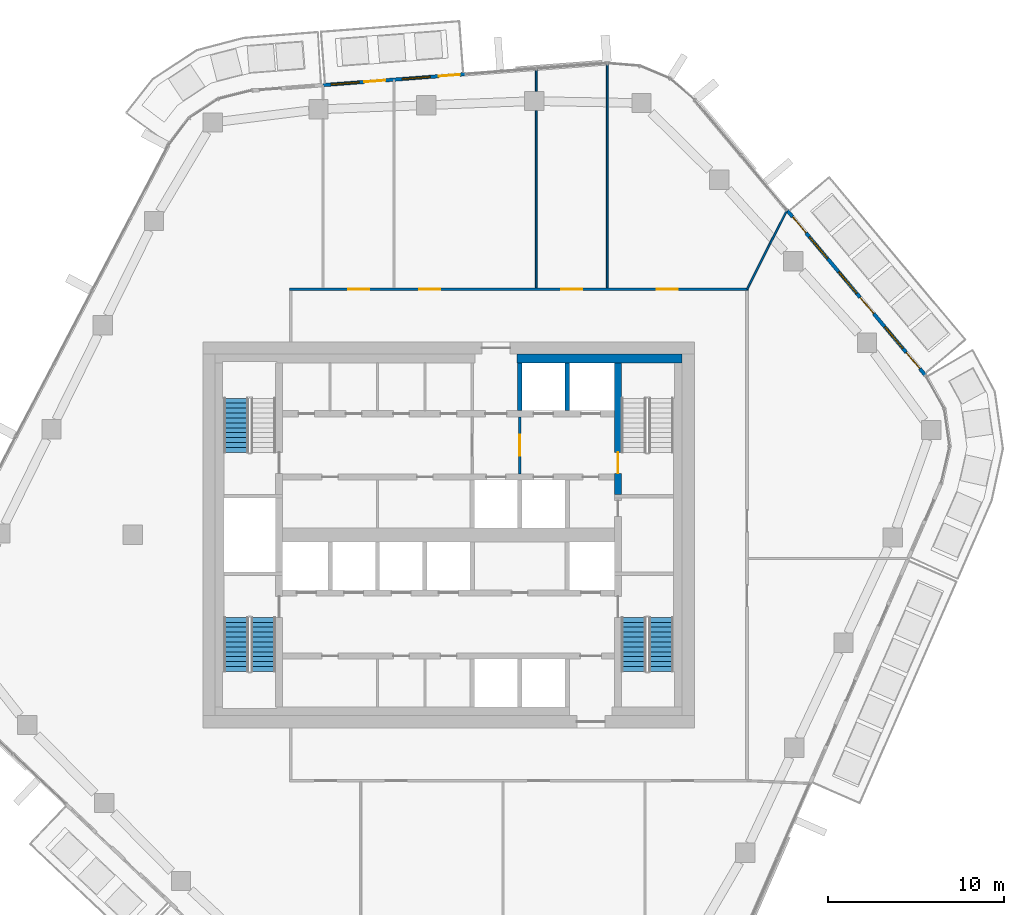
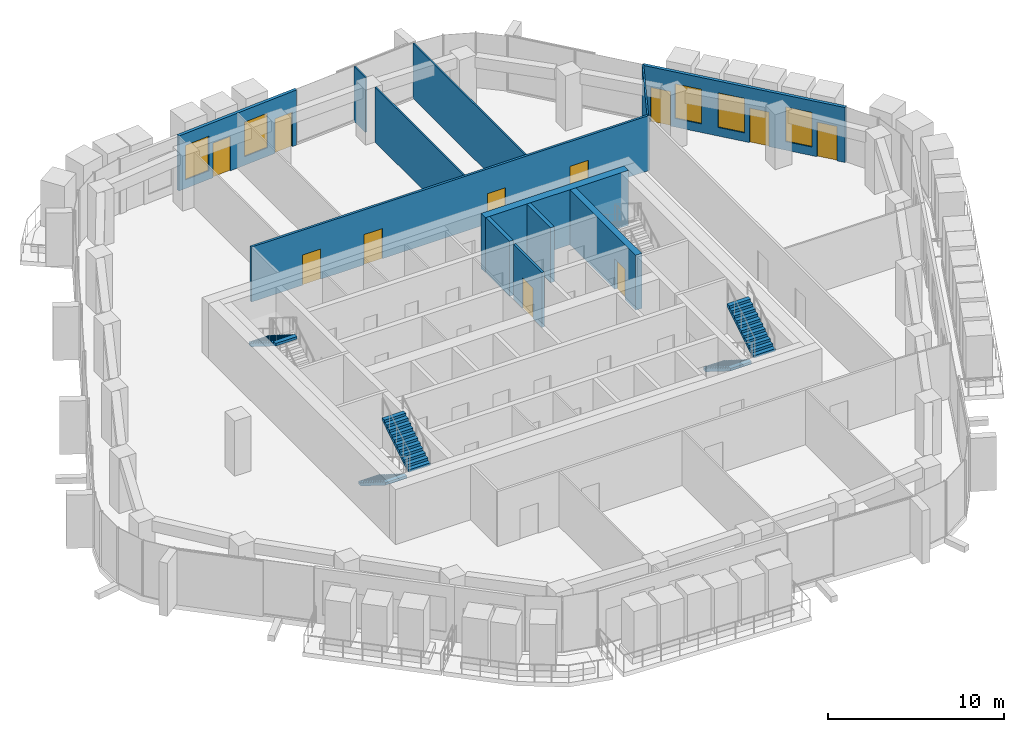
# One storey, part 13 of 20: 12 walls, 11 doors, 5 stair flights, 5 windows, 16 openings, 3 elements without a shape of their own.
"""IFC4 building model written with IfcOpenShell, lengths in metres."""

from ifc_helpers import new_model, si_unit, direction, frame, frame_2d, origin, place, context, subcontext, project, spatial, polyline, rectangle, outline, extrude, material, layer, layer_set, type_object, element, fill, aggregate, save


model = new_model("IFC4")

# Units and contexts
model_context = context("Model", 3, precision=1e-05, world=origin(), true_north=direction((0.0, 1.0)))
body_context = subcontext(model_context, "Body", "Model", "MODEL_VIEW")
ifc_project = project(units=[si_unit("LENGTHUNIT", "METRE"), si_unit("AREAUNIT", "SQUARE_METRE"), si_unit("VOLUMEUNIT", "CUBIC_METRE"), si_unit("PLANEANGLEUNIT", "RADIAN"), si_unit("MASSUNIT", "GRAM", prefix="KILO")], contexts=[model_context])

# Site, building, storey
site_placement = place(None, origin())
site = spatial("IfcSite", under=ifc_project, at=site_placement, CompositionType="ELEMENT")
building_placement = place(site_placement, origin())
building = spatial("IfcBuilding", under=site, at=building_placement, Name="Dongbaek Canopy Tower", CompositionType="ELEMENT")
storey_placement = place(building_placement, frame((0.0, 0.0, 245.39990234375)))
storey = spatial("IfcBuildingStorey", under=building, at=storey_placement, Name="L51", CompositionType="ELEMENT", Elevation=245.39990234375)

# Wall
ifc_material_1 = material(Name="Concrete C60/75", Category="concrete")
ifc_layer_1 = layer(ifc_material_1, 0.5)
ifc_layer_set_1 = layer_set([ifc_layer_1], Name="Core wall lining 500 Concrete C60/75")
wall_type_1 = type_object("IfcWallType", Name="Core wall lining 500 Concrete C60/75", PredefinedType="SHEAR", material=ifc_layer_set_1)
wall_1_placement = place(storey_placement, frame((3.89990234375, 10.050048828125, 0.0), z_axis=(0.0, 0.0, 1.0), x_axis=(1.0, 0.0, 0.0)))
element("IfcWall", 1, at=wall_1_placement, inside=storey, type_object=wall_type_1, Name="Core wall lining", PredefinedType="SHEAR", context=body_context, shape_type="SweptSolid", body=[
    extrude(rectangle(XDim=9.400146484375, YDim=0.5, at=frame_2d((4.7001953125, 0.0))), origin(), (0.0, 0.0, 1.0), 3.820068359375),
])

# Wall, openings, doors
ifc_material_2 = material(Name="Gypsum board partition, steel stud, 2 x 15 mm fire board", Category="steel")
ifc_layer_2 = layer(ifc_material_2, 0.14990234375)
ifc_layer_set_2 = layer_set([ifc_layer_2], Name="Fire-rated partition 150 gypsum board")
wall_type_2 = type_object("IfcWallType", Name="Fire-rated partition 150 gypsum board", PredefinedType="PARTITIONING", material=ifc_layer_set_2)
wall_2_placement = place(storey_placement, frame((-9.074951171875, 14.0, 0.0), z_axis=(0.0, 0.0, 1.0), x_axis=(1.0, 0.0, 0.0)))
wall_2 = element("IfcWall", 2, at=wall_2_placement, inside=storey, type_object=wall_type_2, Name="Corridor partition", PredefinedType="PARTITIONING", context=body_context, shape_type="SweptSolid", body=[
    extrude(rectangle(XDim=26.14990234375, YDim=0.14990234375, at=frame_2d((13.074951171875, 0.0))), origin(), (0.0, 0.0, 1.0), 3.820068359375),
])
opening_1_placement = place(wall_2_placement, frame((20.93408203125, 0.0, 0.0)))
opening_1 = element("IfcOpeningElement", 3, at=opening_1_placement, cuts=wall_2, Name="Opening L51-D007", PredefinedType="OPENING", context=body_context, shape_type="SweptSolid", body=[
    extrude(rectangle(XDim=1.199951171875, YDim=2.10009765625, at=frame_2d((0.60009765625, 1.050048828125))), frame((0.0, 0.0849609375, 0.0), z_axis=(0.0, -1.0, 0.0), x_axis=(1.0, 0.0, 0.0)), (0.0, 0.0, 1.0), 0.169921875),
])
opening_2_placement = place(wall_2_placement, frame((15.48974609375, 0.0, 0.0)))
opening_2 = element("IfcOpeningElement", 4, at=opening_2_placement, cuts=wall_2, Name="Opening L51-D008", PredefinedType="OPENING", context=body_context, shape_type="SweptSolid", body=[
    extrude(rectangle(XDim=1.199951171875, YDim=2.10009765625, at=frame_2d((0.60009765625, 1.050048828125))), frame((0.0, 0.0849609375, 0.0), z_axis=(0.0, -1.0, 0.0), x_axis=(1.0, 0.0, 0.0)), (0.0, 0.0, 1.0), 0.169921875),
])
opening_3_placement = place(wall_2_placement, frame((7.3955078125, 0.0, 0.0)))
opening_3 = element("IfcOpeningElement", 5, at=opening_3_placement, cuts=wall_2, Name="Opening L51-D009", PredefinedType="OPENING", context=body_context, shape_type="SweptSolid", body=[
    extrude(rectangle(XDim=1.199951171875, YDim=2.10009765625, at=frame_2d((0.60009765625, 1.050048828125))), frame((0.0, 0.0849609375, 0.0), z_axis=(0.0, -1.0, 0.0), x_axis=(1.0, 0.0, 0.0)), (0.0, 0.0, 1.0), 0.169921875),
])
opening_4_placement = place(wall_2_placement, frame((3.346435546875, 0.0, 0.0)))
opening_4 = element("IfcOpeningElement", 6, at=opening_4_placement, cuts=wall_2, Name="Opening L51-D010", PredefinedType="OPENING", context=body_context, shape_type="SweptSolid", body=[
    extrude(rectangle(XDim=1.199951171875, YDim=2.10009765625, at=frame_2d((0.60009765625, 1.050048828125))), frame((0.0, 0.0849609375, 0.0), z_axis=(0.0, -1.0, 0.0), x_axis=(1.0, 0.0, 0.0)), (0.0, 0.0, 1.0), 0.169921875),
])
ifc_material_3 = material(Name="Timber veneered door leaf", Category="wood")
door_type_1 = type_object("IfcDoorType", Name="Room door 1200 x 2100", OperationType="SINGLE_SWING_LEFT", PredefinedType="DOOR", material=ifc_material_3)
door_1_placement = place(opening_1_placement, origin())
door_1 = element("IfcDoor", 7, at=door_1_placement, inside=storey, type_object=door_type_1, Name="Door L51-D007", OperationType="SINGLE_SWING_RIGHT", OverallHeight=2.10009765625, OverallWidth=1.199951171875, PredefinedType="DOOR", context=body_context, shape_type="SweptSolid", body=[
    extrude(rectangle(XDim=1.199951171875, YDim=2.10009765625, at=frame_2d((0.60009765625, 1.050048828125))), frame((0.0, 0.02490234375, 0.0), z_axis=(0.0, -1.0, 0.0), x_axis=(1.0, 0.0, 0.0)), (0.0, 0.0, 1.0), 0.050048828125),
])
fill(opening_1, door_1)
door_2_placement = place(opening_2_placement, origin())
door_2 = element("IfcDoor", 8, at=door_2_placement, inside=storey, type_object=door_type_1, Name="Door L51-D008", OperationType="SINGLE_SWING_LEFT", OverallHeight=2.10009765625, OverallWidth=1.199951171875, PredefinedType="DOOR", context=body_context, shape_type="SweptSolid", body=[
    extrude(rectangle(XDim=1.199951171875, YDim=2.10009765625, at=frame_2d((0.60009765625, 1.050048828125))), frame((0.0, 0.02490234375, 0.0), z_axis=(0.0, -1.0, 0.0), x_axis=(1.0, 0.0, 0.0)), (0.0, 0.0, 1.0), 0.050048828125),
])
fill(opening_2, door_2)
door_3_placement = place(opening_3_placement, origin())
door_3 = element("IfcDoor", 9, at=door_3_placement, inside=storey, type_object=door_type_1, Name="Door L51-D009", OperationType="SINGLE_SWING_RIGHT", OverallHeight=2.10009765625, OverallWidth=1.199951171875, PredefinedType="DOOR", context=body_context, shape_type="SweptSolid", body=[
    extrude(rectangle(XDim=1.199951171875, YDim=2.10009765625, at=frame_2d((0.60009765625, 1.050048828125))), frame((0.0, 0.02490234375, 0.0), z_axis=(0.0, -1.0, 0.0), x_axis=(1.0, 0.0, 0.0)), (0.0, 0.0, 1.0), 0.050048828125),
])
fill(opening_3, door_3)
door_4_placement = place(opening_4_placement, origin())
door_4 = element("IfcDoor", 10, at=door_4_placement, inside=storey, type_object=door_type_1, Name="Door L51-D010", OperationType="SINGLE_SWING_LEFT", OverallHeight=2.10009765625, OverallWidth=1.199951171875, PredefinedType="DOOR", context=body_context, shape_type="SweptSolid", body=[
    extrude(rectangle(XDim=1.199951171875, YDim=2.10009765625, at=frame_2d((0.60009765625, 1.050048828125))), frame((0.0, 0.02490234375, 0.0), z_axis=(0.0, -1.0, 0.0), x_axis=(1.0, 0.0, 0.0)), (0.0, 0.0, 1.0), 0.050048828125),
])
fill(opening_4, door_4)

# Wall, opening, door
wall_3_placement = place(storey_placement, frame((4.050048828125, 6.72509765625, 0.0), z_axis=(0.0, 0.0, 1.0), x_axis=(0.0, -1.0, 0.0)))
wall_3 = element("IfcWall", 11, at=wall_3_placement, inside=storey, type_object=wall_type_2, Name="Fire lobby partition", PredefinedType="PARTITIONING", context=body_context, shape_type="SweptSolid", body=[
    extrude(rectangle(XDim=3.25, YDim=0.14990234375, at=frame_2d((1.625, 0.0))), origin(), (0.0, 0.0, 1.0), 3.820068359375),
])
opening_5_placement = place(wall_3_placement, frame((1.02490234375, 0.0, 0.0)))
opening_5 = element("IfcOpeningElement", 12, at=opening_5_placement, cuts=wall_3, Name="Opening L51-D041", PredefinedType="OPENING", context=body_context, shape_type="SweptSolid", body=[
    extrude(rectangle(XDim=1.199951171875, YDim=2.10009765625, at=frame_2d((0.60009765625, 1.050048828125))), frame((0.0, 0.0849609375, 0.0), z_axis=(0.0, -1.0, 0.0), x_axis=(1.0, 0.0, 0.0)), (0.0, 0.0, 1.0), 0.169921875),
])
ifc_material_4 = material(Name="Steel", Category="steel")
door_type_2 = type_object("IfcDoorType", Name="Fire lobby door 1200 x 2100", OperationType="SINGLE_SWING_LEFT", PredefinedType="DOOR", material=ifc_material_4)
door_5_placement = place(opening_5_placement, origin())
door_5 = element("IfcDoor", 13, at=door_5_placement, inside=storey, type_object=door_type_2, Name="Door L51-D041", OperationType="SINGLE_SWING_RIGHT", OverallHeight=2.10009765625, OverallWidth=1.199951171875, PredefinedType="DOOR", context=body_context, shape_type="SweptSolid", body=[
    extrude(rectangle(XDim=1.199951171875, YDim=2.10009765625, at=frame_2d((0.60009765625, 1.050048828125))), frame((0.0, 0.02490234375, 0.0), z_axis=(0.0, -1.0, 0.0), x_axis=(1.0, 0.0, 0.0)), (0.0, 0.0, 1.0), 0.050048828125),
])
fill(opening_5, door_5)

# Walls
ifc_material_5 = material(Name="Concrete C40/50", Category="concrete")
ifc_layer_3 = layer(ifc_material_5, 0.25)
ifc_layer_set_3 = layer_set([ifc_layer_3], Name="Lift shaft wall 250 Concrete C40/50")
wall_type_3 = type_object("IfcWallType", Name="Lift shaft wall 250 Concrete C40/50", PredefinedType="SOLIDWALL", material=ifc_layer_set_3)
for number, where, z_axis, x_axis, name in (
    (14, (6.75, 7.074951171875, 0.0), (0.0, 0.0, 1.0), (0.0, 1.0, 0.0), "Lift shaft wall"),
    (15, (4.050048828125, 7.074951171875, 0.0), (0.0, 0.0, 1.0), (0.0, 1.0, 0.0), "Lift shaft wall"),
):
    element("IfcWall", number, at=place(storey_placement, frame(where, z_axis=z_axis, x_axis=x_axis)), inside=storey, type_object=wall_type_3, Name=name, PredefinedType="SOLIDWALL", context=body_context, shape_type="SweptSolid", body=[
        extrude(rectangle(XDim=2.72509765625, YDim=0.25, at=frame_2d((1.362548828125, 0.0))), origin(), (0.0, 0.0, 1.0), 3.820068359375),
    ])
ifc_material_6 = material(Name="Gypsum board partition, steel stud, 2 x 12.5 mm board", Category="steel")
ifc_layer_4 = layer(ifc_material_6, 0.10009765625)
ifc_layer_set_4 = layer_set([ifc_layer_4], Name="Partition 100 gypsum board")
wall_type_4 = type_object("IfcWallType", Name="Partition 100 gypsum board", PredefinedType="PARTITIONING", material=ifc_layer_set_4)
wall_4_placement = place(storey_placement, frame((17.0, 14.0, 0.0), z_axis=(0.0, 0.0, 1.0), x_axis=(0.451643796449, 0.892198341811, 0.0)))
element("IfcWall", 16, at=wall_4_placement, inside=storey, type_object=wall_type_4, Name="Partition", PredefinedType="PARTITIONING", context=body_context, shape_type="SweptSolid", body=[
    extrude(rectangle(XDim=5.01953125, YDim=0.10009765625, at=frame_2d((2.509765625, 0.0))), origin(), (0.0, 0.0, 1.0), 3.820068359375),
])
wall_5_placement = place(storey_placement, frame((9.034912109375, 14.074951171875, 0.0), z_axis=(0.0, 0.0, 1.0), x_axis=(0.0, 1.0, 0.0)))
element("IfcWall", 17, at=wall_5_placement, inside=storey, type_object=wall_type_4, Name="Partition", PredefinedType="PARTITIONING", context=body_context, shape_type="SweptSolid", body=[
    extrude(rectangle(XDim=12.770751953125, YDim=0.10009765625, at=frame_2d((6.38525390625, 0.0))), origin(), (0.0, 0.0, 1.0), 3.820068359375),
])
wall_6_placement = place(storey_placement, frame((4.993896484375, 14.074951171875, 0.0), z_axis=(0.0, 0.0, 1.0), x_axis=(0.0, 1.0, 0.0)))
element("IfcWall", 18, at=wall_6_placement, inside=storey, type_object=wall_type_4, Name="Partition", PredefinedType="PARTITIONING", context=body_context, shape_type="SweptSolid", body=[
    extrude(rectangle(XDim=10.089111328125, YDim=0.10009765625, at=frame_2d((5.04443359375, 0.0))), origin(), (0.0, 0.0, 1.0), 3.820068359375),
])
wall_7_placement = place(storey_placement, frame((4.993896484375, 25.263916015625, 0.0), z_axis=(0.0, 0.0, 1.0), x_axis=(0.0, 1.0, 0.0)))
element("IfcWall", 19, at=wall_7_placement, inside=storey, type_object=wall_type_4, Name="Partition", PredefinedType="PARTITIONING", context=body_context, shape_type="SweptSolid", body=[
    extrude(rectangle(XDim=1.271728515625, YDim=0.10009765625, at=frame_2d((0.6357421875, 0.0))), origin(), (0.0, 0.0, 1.0), 3.820068359375),
])

# Wall, opening, door
ifc_material_7 = material(Name="Concrete C60/75", Category="concrete")
ifc_layer_5 = layer(ifc_material_7, 0.39990234375)
ifc_layer_set_5 = layer_set([ifc_layer_5], Name="Stair wall 400 Concrete C60/75")
wall_type_5 = type_object("IfcWallType", Name="Stair wall 400 Concrete C60/75", PredefinedType="SHEAR", material=ifc_layer_set_5)
wall_8_placement = place(storey_placement, frame((9.64990234375, 9.800048828125, 0.0), z_axis=(0.0, 0.0, 1.0), x_axis=(0.0, -1.0, 0.0)))
wall_8 = element("IfcWall", 20, at=wall_8_placement, inside=storey, type_object=wall_type_5, Name="Stair wall", PredefinedType="SHEAR", context=body_context, shape_type="SweptSolid", body=[
    extrude(rectangle(XDim=7.5, YDim=0.39990234375, at=frame_2d((3.75, 0.0))), origin(), (0.0, 0.0, 1.0), 3.820068359375),
])
opening_6_placement = place(wall_8_placement, frame((5.10009765625, 0.0, 0.0)))
opening_6 = element("IfcOpeningElement", 21, at=opening_6_placement, cuts=wall_8, Name="Opening L51-D036", PredefinedType="OPENING", context=body_context, shape_type="SweptSolid", body=[
    extrude(rectangle(XDim=1.199951171875, YDim=2.10009765625, at=frame_2d((0.60009765625, 1.050048828125))), frame((0.0, 0.2099609375, 0.0), z_axis=(0.0, -1.0, 0.0), x_axis=(1.0, 0.0, 0.0)), (0.0, 0.0, 1.0), 0.419921875),
])
ifc_material_8 = material(Name="Steel", Category="steel")
door_type_3 = type_object("IfcDoorType", Name="Stair door 1200 x 2100", OperationType="SINGLE_SWING_LEFT", PredefinedType="DOOR", material=ifc_material_8)
door_6_placement = place(opening_6_placement, origin())
door_6 = element("IfcDoor", 22, at=door_6_placement, inside=storey, type_object=door_type_3, Name="Stair A door", OperationType="SINGLE_SWING_LEFT", OverallHeight=2.10009765625, OverallWidth=1.199951171875, PredefinedType="DOOR", context=body_context, shape_type="SweptSolid", body=[
    extrude(rectangle(XDim=1.199951171875, YDim=2.10009765625, at=frame_2d((0.60009765625, 1.050048828125))), frame((0.0, 0.02490234375, 0.0), z_axis=(0.0, -1.0, 0.0), x_axis=(1.0, 0.0, 0.0)), (0.0, 0.0, 1.0), 0.050048828125),
])
fill(opening_6, door_6)

# Wall, openings, doors, windows
ifc_material_9 = material(Name="Aluminium window wall", Category="aluminium")
ifc_layer_6 = layer(ifc_material_9, 0.199951171875)
ifc_layer_set_6 = layer_set([ifc_layer_6], Name="Window wall 200")
wall_type_6 = type_object("IfcWallType", Name="Window wall 200", PredefinedType="SOLIDWALL", material=ifc_layer_set_6)
wall_9_placement = place(storey_placement, frame((27.162109375, 9.0908203125, 0.0), z_axis=(0.0, 0.0, 1.0), x_axis=(-0.642398297857, 0.766370946025, 0.0)))
wall_9 = element("IfcWall", 23, at=wall_9_placement, inside=storey, type_object=wall_type_6, Name="Window wall L51 1", PredefinedType="SOLIDWALL", context=body_context, shape_type="SweptSolid", body=[
    extrude(rectangle(XDim=12.274658203125, YDim=0.199951171875, at=frame_2d((6.13720703125, 0.0))), origin(), (0.0, 0.0, 1.0), 3.820068359375),
])
opening_7_placement = place(wall_9_placement, frame((2.0, 0.0, 0.60009765625)))
opening_7 = element("IfcOpeningElement", 24, at=opening_7_placement, cuts=wall_9, Name="Opening W1", PredefinedType="OPENING", context=body_context, shape_type="SweptSolid", body=[
    extrude(rectangle(XDim=1.60009765625, YDim=2.39990234375, at=frame_2d((0.800048828125, 1.199951171875))), frame((0.0, 0.10986328125, 0.0), z_axis=(0.0, -1.0, 0.0), x_axis=(1.0, 0.0, 0.0)), (0.0, 0.0, 1.0), 0.219970703125),
])
opening_8_placement = place(wall_9_placement, frame((0.5, 0.0, 0.0)))
opening_8 = element("IfcOpeningElement", 25, at=opening_8_placement, cuts=wall_9, Name="Opening L51-B01", PredefinedType="OPENING", context=body_context, shape_type="SweptSolid", body=[
    extrude(rectangle(XDim=1.199951171875, YDim=2.39990234375, at=frame_2d((0.60009765625, 1.199951171875))), frame((0.0, 0.10986328125, 0.0), z_axis=(0.0, -1.0, 0.0), x_axis=(1.0, 0.0, 0.0)), (0.0, 0.0, 1.0), 0.219970703125),
])
opening_9_placement = place(wall_9_placement, frame((6.091552734375, 0.0, 0.60009765625)))
opening_9 = element("IfcOpeningElement", 26, at=opening_9_placement, cuts=wall_9, Name="Opening W1", PredefinedType="OPENING", context=body_context, shape_type="SweptSolid", body=[
    extrude(rectangle(XDim=1.60009765625, YDim=2.39990234375, at=frame_2d((0.800048828125, 1.199951171875))), frame((0.0, 0.10986328125, 0.0), z_axis=(0.0, -1.0, 0.0), x_axis=(1.0, 0.0, 0.0)), (0.0, 0.0, 1.0), 0.219970703125),
])
opening_10_placement = place(wall_9_placement, frame((4.591552734375, 0.0, 0.0)))
opening_10 = element("IfcOpeningElement", 27, at=opening_10_placement, cuts=wall_9, Name="Opening L51-B02", PredefinedType="OPENING", context=body_context, shape_type="SweptSolid", body=[
    extrude(rectangle(XDim=1.199951171875, YDim=2.39990234375, at=frame_2d((0.60009765625, 1.199951171875))), frame((0.0, 0.10986328125, 0.0), z_axis=(0.0, -1.0, 0.0), x_axis=(1.0, 0.0, 0.0)), (0.0, 0.0, 1.0), 0.219970703125),
])
opening_11_placement = place(wall_9_placement, frame((8.68310546875, 0.0, 0.60009765625)))
opening_11 = element("IfcOpeningElement", 28, at=opening_11_placement, cuts=wall_9, Name="Opening W1", PredefinedType="OPENING", context=body_context, shape_type="SweptSolid", body=[
    extrude(rectangle(XDim=1.60009765625, YDim=2.39990234375, at=frame_2d((0.800048828125, 1.199951171875))), frame((0.0, 0.10986328125, 0.0), z_axis=(0.0, -1.0, 0.0), x_axis=(1.0, 0.0, 0.0)), (0.0, 0.0, 1.0), 0.219970703125),
])
opening_12_placement = place(wall_9_placement, frame((10.5830078125, 0.0, 0.0)))
opening_12 = element("IfcOpeningElement", 29, at=opening_12_placement, cuts=wall_9, Name="Opening L51-B03", PredefinedType="OPENING", context=body_context, shape_type="SweptSolid", body=[
    extrude(rectangle(XDim=1.199951171875, YDim=2.39990234375, at=frame_2d((0.60009765625, 1.199951171875))), frame((0.0, 0.10986328125, 0.0), z_axis=(0.0, -1.0, 0.0), x_axis=(1.0, 0.0, 0.0)), (0.0, 0.0, 1.0), 0.219970703125),
])
ifc_material_10 = material(Name="Clear glazing in aluminium frame", Category="aluminium")
door_type_4 = type_object("IfcDoorType", Name="Balcony door BD1 1200 x 2400", OperationType="SLIDING_TO_LEFT", PredefinedType="DOOR", material=ifc_material_10)
door_7_placement = place(opening_8_placement, origin())
door_7 = element("IfcDoor", 30, at=door_7_placement, inside=storey, type_object=door_type_4, Name="Balcony door L51-B01", OperationType="SLIDING_TO_LEFT", OverallHeight=2.39990234375, OverallWidth=1.199951171875, PredefinedType="DOOR", context=body_context, shape_type="SweptSolid", body=[
    extrude(rectangle(XDim=1.199951171875, YDim=2.39990234375, at=frame_2d((0.60009765625, 1.199951171875))), frame((0.0, 0.02490234375, 0.0), z_axis=(0.0, -1.0, 0.0), x_axis=(1.0, 0.0, 0.0)), (0.0, 0.0, 1.0), 0.050048828125),
])
fill(opening_8, door_7)
door_8_placement = place(opening_10_placement, origin())
door_8 = element("IfcDoor", 31, at=door_8_placement, inside=storey, type_object=door_type_4, Name="Balcony door L51-B02", OperationType="SLIDING_TO_LEFT", OverallHeight=2.39990234375, OverallWidth=1.199951171875, PredefinedType="DOOR", context=body_context, shape_type="SweptSolid", body=[
    extrude(rectangle(XDim=1.199951171875, YDim=2.39990234375, at=frame_2d((0.60009765625, 1.199951171875))), frame((0.0, 0.02490234375, 0.0), z_axis=(0.0, -1.0, 0.0), x_axis=(1.0, 0.0, 0.0)), (0.0, 0.0, 1.0), 0.050048828125),
])
fill(opening_10, door_8)
door_9_placement = place(opening_12_placement, origin())
door_9 = element("IfcDoor", 32, at=door_9_placement, inside=storey, type_object=door_type_4, Name="Balcony door L51-B03", OperationType="SLIDING_TO_LEFT", OverallHeight=2.39990234375, OverallWidth=1.199951171875, PredefinedType="DOOR", context=body_context, shape_type="SweptSolid", body=[
    extrude(rectangle(XDim=1.199951171875, YDim=2.39990234375, at=frame_2d((0.60009765625, 1.199951171875))), frame((0.0, 0.02490234375, 0.0), z_axis=(0.0, -1.0, 0.0), x_axis=(1.0, 0.0, 0.0)), (0.0, 0.0, 1.0), 0.050048828125),
])
fill(opening_12, door_9)
ifc_material_11 = material(Name="Clear glazing in aluminium frame", Category="aluminium")
window_type = type_object("IfcWindowType", Name="Window W1 1600 x 2400", PartitioningType="SINGLE_PANEL", PredefinedType="WINDOW", material=ifc_material_11)
window_1_placement = place(opening_7_placement, origin())
window_1 = element("IfcWindow", 33, at=window_1_placement, inside=storey, type_object=window_type, Name="Window L51 1.1", OverallHeight=2.39990234375, OverallWidth=1.60009765625, PartitioningType="SINGLE_PANEL", PredefinedType="WINDOW", context=body_context, shape_type="SweptSolid", body=[
    extrude(rectangle(XDim=1.60009765625, YDim=2.39990234375, at=frame_2d((0.800048828125, 1.199951171875))), frame((0.0, 0.030029296875, 0.0), z_axis=(0.0, -1.0, 0.0), x_axis=(1.0, 0.0, 0.0)), (0.0, 0.0, 1.0), 0.06005859375),
])
fill(opening_7, window_1)
window_2_placement = place(opening_9_placement, origin())
window_2 = element("IfcWindow", 34, at=window_2_placement, inside=storey, type_object=window_type, Name="Window L51 1.2", OverallHeight=2.39990234375, OverallWidth=1.60009765625, PartitioningType="SINGLE_PANEL", PredefinedType="WINDOW", context=body_context, shape_type="SweptSolid", body=[
    extrude(rectangle(XDim=1.60009765625, YDim=2.39990234375, at=frame_2d((0.800048828125, 1.199951171875))), frame((0.0, 0.030029296875, 0.0), z_axis=(0.0, -1.0, 0.0), x_axis=(1.0, 0.0, 0.0)), (0.0, 0.0, 1.0), 0.06005859375),
])
fill(opening_9, window_2)
window_3_placement = place(opening_11_placement, origin())
window_3 = element("IfcWindow", 35, at=window_3_placement, inside=storey, type_object=window_type, Name="Window L51 1.3", OverallHeight=2.39990234375, OverallWidth=1.60009765625, PartitioningType="SINGLE_PANEL", PredefinedType="WINDOW", context=body_context, shape_type="SweptSolid", body=[
    extrude(rectangle(XDim=1.60009765625, YDim=2.39990234375, at=frame_2d((0.800048828125, 1.199951171875))), frame((0.0, 0.030029296875, 0.0), z_axis=(0.0, -1.0, 0.0), x_axis=(1.0, 0.0, 0.0)), (0.0, 0.0, 1.0), 0.06005859375),
])
fill(opening_11, window_3)

wall_10_placement = place(storey_placement, frame((0.945068359375, 26.244873046875, 0.0), z_axis=(0.0, 0.0, 1.0), x_axis=(-0.997069496045, -0.076501111469, 0.0)))
wall_10 = element("IfcWall", 36, at=wall_10_placement, inside=storey, type_object=wall_type_6, Name="Window wall L51 2", PredefinedType="SOLIDWALL", context=body_context, shape_type="SweptSolid", body=[
    extrude(rectangle(XDim=8.121826171875, YDim=0.199951171875, at=frame_2d((4.06103515625, 0.0))), origin(), (0.0, 0.0, 1.0), 3.820068359375),
])
opening_13_placement = place(wall_10_placement, frame((2.0, 0.0, 0.60009765625)))
opening_13 = element("IfcOpeningElement", 37, at=opening_13_placement, cuts=wall_10, Name="Opening W1", PredefinedType="OPENING", context=body_context, shape_type="SweptSolid", body=[
    extrude(rectangle(XDim=1.60009765625, YDim=2.39990234375, at=frame_2d((0.800048828125, 1.199951171875))), frame((0.0, 0.10986328125, 0.0), z_axis=(0.0, -1.0, 0.0), x_axis=(1.0, 0.0, 0.0)), (0.0, 0.0, 1.0), 0.219970703125),
])
opening_14_placement = place(wall_10_placement, frame((0.300048828125, 0.0, 0.0)))
opening_14 = element("IfcOpeningElement", 38, at=opening_14_placement, cuts=wall_10, Name="Opening L51-B04", PredefinedType="OPENING", context=body_context, shape_type="SweptSolid", body=[
    extrude(rectangle(XDim=1.199951171875, YDim=2.39990234375, at=frame_2d((0.60009765625, 1.199951171875))), frame((0.0, 0.10986328125, 0.0), z_axis=(0.0, -1.0, 0.0), x_axis=(1.0, 0.0, 0.0)), (0.0, 0.0, 1.0), 0.219970703125),
])
opening_15_placement = place(wall_10_placement, frame((6.06103515625, 0.0, 0.60009765625)))
opening_15 = element("IfcOpeningElement", 39, at=opening_15_placement, cuts=wall_10, Name="Opening W1", PredefinedType="OPENING", context=body_context, shape_type="SweptSolid", body=[
    extrude(rectangle(XDim=1.60009765625, YDim=2.39990234375, at=frame_2d((0.800048828125, 1.199951171875))), frame((0.0, 0.10986328125, 0.0), z_axis=(0.0, -1.0, 0.0), x_axis=(1.0, 0.0, 0.0)), (0.0, 0.0, 1.0), 0.219970703125),
])
opening_16_placement = place(wall_10_placement, frame((4.56103515625, 0.0, 0.0)))
opening_16 = element("IfcOpeningElement", 40, at=opening_16_placement, cuts=wall_10, Name="Opening L51-B05", PredefinedType="OPENING", context=body_context, shape_type="SweptSolid", body=[
    extrude(rectangle(XDim=1.199951171875, YDim=2.39990234375, at=frame_2d((0.60009765625, 1.199951171875))), frame((0.0, 0.10986328125, 0.0), z_axis=(0.0, -1.0, 0.0), x_axis=(1.0, 0.0, 0.0)), (0.0, 0.0, 1.0), 0.219970703125),
])
door_10_placement = place(opening_14_placement, origin())
door_10 = element("IfcDoor", 41, at=door_10_placement, inside=storey, type_object=door_type_4, Name="Balcony door L51-B04", OperationType="SLIDING_TO_LEFT", OverallHeight=2.39990234375, OverallWidth=1.199951171875, PredefinedType="DOOR", context=body_context, shape_type="SweptSolid", body=[
    extrude(rectangle(XDim=1.199951171875, YDim=2.39990234375, at=frame_2d((0.60009765625, 1.199951171875))), frame((0.0, 0.02490234375, 0.0), z_axis=(0.0, -1.0, 0.0), x_axis=(1.0, 0.0, 0.0)), (0.0, 0.0, 1.0), 0.050048828125),
])
fill(opening_14, door_10)
door_11_placement = place(opening_16_placement, origin())
door_11 = element("IfcDoor", 42, at=door_11_placement, inside=storey, type_object=door_type_4, Name="Balcony door L51-B05", OperationType="SLIDING_TO_LEFT", OverallHeight=2.39990234375, OverallWidth=1.199951171875, PredefinedType="DOOR", context=body_context, shape_type="SweptSolid", body=[
    extrude(rectangle(XDim=1.199951171875, YDim=2.39990234375, at=frame_2d((0.60009765625, 1.199951171875))), frame((0.0, 0.02490234375, 0.0), z_axis=(0.0, -1.0, 0.0), x_axis=(1.0, 0.0, 0.0)), (0.0, 0.0, 1.0), 0.050048828125),
])
fill(opening_16, door_11)
window_4_placement = place(opening_13_placement, origin())
window_4 = element("IfcWindow", 43, at=window_4_placement, inside=storey, type_object=window_type, Name="Window L51 2.1", OverallHeight=2.39990234375, OverallWidth=1.60009765625, PartitioningType="SINGLE_PANEL", PredefinedType="WINDOW", context=body_context, shape_type="SweptSolid", body=[
    extrude(rectangle(XDim=1.60009765625, YDim=2.39990234375, at=frame_2d((0.800048828125, 1.199951171875))), frame((0.0, 0.030029296875, 0.0), z_axis=(0.0, -1.0, 0.0), x_axis=(1.0, 0.0, 0.0)), (0.0, 0.0, 1.0), 0.06005859375),
])
fill(opening_13, window_4)
window_5_placement = place(opening_15_placement, origin())
window_5 = element("IfcWindow", 44, at=window_5_placement, inside=storey, type_object=window_type, Name="Window L51 2.2", OverallHeight=2.39990234375, OverallWidth=1.60009765625, PartitioningType="SINGLE_PANEL", PredefinedType="WINDOW", context=body_context, shape_type="SweptSolid", body=[
    extrude(rectangle(XDim=1.60009765625, YDim=2.39990234375, at=frame_2d((0.800048828125, 1.199951171875))), frame((0.0, 0.030029296875, 0.0), z_axis=(0.0, -1.0, 0.0), x_axis=(1.0, 0.0, 0.0)), (0.0, 0.0, 1.0), 0.06005859375),
])
fill(opening_15, window_5)

# Stair, stair flight
ifc_material_12 = material(Name="Concrete C40/50", Category="concrete")
stair_type = type_object("IfcStairType", Name="Core exit stair", PredefinedType="HALF_TURN_STAIR", material=ifc_material_12)
stair_1_placement = place(storey_placement, origin())
stair_1 = element("IfcStair", 45, at=stair_1_placement, inside=storey, type_object=stair_type, Name="L51 exit stair C", PredefinedType="HALF_TURN_STAIR")
ifc_material_13 = material(Name="Concrete C40/50", Category="concrete")
ifc_layer_7 = layer(ifc_material_13, 0.14990234375)
ifc_layer_set_7 = layer_set([ifc_layer_7], Name="Core stair flight 150 waist")
stair_flight_type = type_object("IfcStairFlightType", Name="Core stair flight 150 waist", PredefinedType="STRAIGHT", material=ifc_layer_set_7)
stair_flight_1_placement = place(storey_placement, frame((-12.10009765625, 7.780029296875, 2.10009765625), z_axis=(0.0, 0.0, 1.0), x_axis=(0.0, -1.0, 0.0)))
stair_flight_1 = element("IfcStairFlight", 46, at=stair_flight_1_placement, type_object=stair_flight_type, Name="ST-C flight 2", NumberOfRisers=12, NumberOfTreads=11, PredefinedType="STRAIGHT", RiserHeight=0.175, TreadLength=0.28, context=body_context, shape_type="SweptSolid", body=[
    extrude(outline(polyline([(0.0, 0.0), (0.0, 0.175048828125), (0.280029296875, 0.175048828125), (0.280029296875, 0.35009765625), (0.56005859375, 0.35009765625), (0.56005859375, 0.52490234375), (0.840087890625, 0.52490234375), (0.840087890625, 0.699951171875), (1.1201171875, 0.699951171875), (1.1201171875, 0.875), (1.39990234375, 0.875), (1.39990234375, 1.050048828125), (1.679931640625, 1.050048828125), (1.679931640625, 1.22509765625), (1.9599609375, 1.22509765625), (1.9599609375, 1.39990234375), (2.239990234375, 1.39990234375), (2.239990234375, 1.574951171875), (2.52001953125, 1.574951171875), (2.52001953125, 1.75), (2.800048828125, 1.75), (2.800048828125, 1.925048828125), (3.080078125, 1.925048828125), (3.080078125, 2.10009765625), (3.080078125, 1.748291015625), (0.28271484375, 0.0), (0.0, 0.0)])), frame((0.0, 0.699951171875, 0.0), z_axis=(0.0, -1.0, 0.0), x_axis=(1.0, 0.0, 0.0)), (0.0, 0.0, 1.0), 1.39990234375),
])
aggregate(stair_1, [stair_flight_1])

# Stair, stair flights
stair_2_placement = place(storey_placement, origin())
stair_2 = element("IfcStair", 47, at=stair_2_placement, inside=storey, type_object=stair_type, Name="L51 exit stair B", PredefinedType="HALF_TURN_STAIR")
stair_flight_2_placement = place(storey_placement, frame((10.550048828125, -4.699951171875, 0.0), z_axis=(0.0, 0.0, 1.0), x_axis=(0.0, -1.0, 0.0)))
stair_flight_2 = element("IfcStairFlight", 48, at=stair_flight_2_placement, type_object=stair_flight_type, Name="ST-B flight 1", NumberOfRisers=12, NumberOfTreads=11, PredefinedType="STRAIGHT", RiserHeight=0.175, TreadLength=0.28, context=body_context, shape_type="SweptSolid", body=[
    extrude(outline(polyline([(0.0, 0.0), (0.0, 0.175048828125), (0.280029296875, 0.175048828125), (0.280029296875, 0.35009765625), (0.56005859375, 0.35009765625), (0.56005859375, 0.52490234375), (0.840087890625, 0.52490234375), (0.840087890625, 0.699951171875), (1.1201171875, 0.699951171875), (1.1201171875, 0.875), (1.39990234375, 0.875), (1.39990234375, 1.050048828125), (1.679931640625, 1.050048828125), (1.679931640625, 1.22509765625), (1.9599609375, 1.22509765625), (1.9599609375, 1.39990234375), (2.239990234375, 1.39990234375), (2.239990234375, 1.574951171875), (2.52001953125, 1.574951171875), (2.52001953125, 1.75), (2.800048828125, 1.75), (2.800048828125, 1.925048828125), (3.080078125, 1.925048828125), (3.080078125, 2.10009765625), (3.080078125, 1.748291015625), (0.28271484375, 0.0), (0.0, 0.0)])), frame((0.0, 0.699951171875, 0.0), z_axis=(0.0, -1.0, 0.0), x_axis=(1.0, 0.0, 0.0)), (0.0, 0.0, 1.0), 1.39990234375),
])
stair_flight_3_placement = place(storey_placement, frame((12.10009765625, -7.780029296875, 2.10009765625), z_axis=(0.0, 0.0, 1.0), x_axis=(0.0, 1.0, 0.0)))
stair_flight_3 = element("IfcStairFlight", 49, at=stair_flight_3_placement, type_object=stair_flight_type, Name="ST-B flight 2", NumberOfRisers=12, NumberOfTreads=11, PredefinedType="STRAIGHT", RiserHeight=0.175, TreadLength=0.28, context=body_context, shape_type="SweptSolid", body=[
    extrude(outline(polyline([(0.0, 0.0), (0.0, 0.175048828125), (0.280029296875, 0.175048828125), (0.280029296875, 0.35009765625), (0.56005859375, 0.35009765625), (0.56005859375, 0.52490234375), (0.840087890625, 0.52490234375), (0.840087890625, 0.699951171875), (1.1201171875, 0.699951171875), (1.1201171875, 0.875), (1.39990234375, 0.875), (1.39990234375, 1.050048828125), (1.679931640625, 1.050048828125), (1.679931640625, 1.22509765625), (1.9599609375, 1.22509765625), (1.9599609375, 1.39990234375), (2.239990234375, 1.39990234375), (2.239990234375, 1.574951171875), (2.52001953125, 1.574951171875), (2.52001953125, 1.75), (2.800048828125, 1.75), (2.800048828125, 1.925048828125), (3.080078125, 1.925048828125), (3.080078125, 2.10009765625), (3.080078125, 1.748291015625), (0.28271484375, 0.0), (0.0, 0.0)])), frame((0.0, 0.699951171875, 0.0), z_axis=(0.0, -1.0, 0.0), x_axis=(1.0, 0.0, 0.0)), (0.0, 0.0, 1.0), 1.39990234375),
])
aggregate(stair_2, [stair_flight_2, stair_flight_3])

stair_3_placement = place(storey_placement, origin())
stair_3 = element("IfcStair", 50, at=stair_3_placement, inside=storey, type_object=stair_type, Name="L51 exit stair D", PredefinedType="HALF_TURN_STAIR")
stair_flight_4_placement = place(storey_placement, frame((-12.10009765625, -4.699951171875, 0.0), z_axis=(0.0, 0.0, 1.0), x_axis=(0.0, -1.0, 0.0)))
stair_flight_4 = element("IfcStairFlight", 51, at=stair_flight_4_placement, type_object=stair_flight_type, Name="ST-D flight 1", NumberOfRisers=12, NumberOfTreads=11, PredefinedType="STRAIGHT", RiserHeight=0.175, TreadLength=0.28, context=body_context, shape_type="SweptSolid", body=[
    extrude(outline(polyline([(0.0, 0.0), (0.0, 0.175048828125), (0.280029296875, 0.175048828125), (0.280029296875, 0.35009765625), (0.56005859375, 0.35009765625), (0.56005859375, 0.52490234375), (0.840087890625, 0.52490234375), (0.840087890625, 0.699951171875), (1.1201171875, 0.699951171875), (1.1201171875, 0.875), (1.39990234375, 0.875), (1.39990234375, 1.050048828125), (1.679931640625, 1.050048828125), (1.679931640625, 1.22509765625), (1.9599609375, 1.22509765625), (1.9599609375, 1.39990234375), (2.239990234375, 1.39990234375), (2.239990234375, 1.574951171875), (2.52001953125, 1.574951171875), (2.52001953125, 1.75), (2.800048828125, 1.75), (2.800048828125, 1.925048828125), (3.080078125, 1.925048828125), (3.080078125, 2.10009765625), (3.080078125, 1.748291015625), (0.28271484375, 0.0), (0.0, 0.0)])), frame((0.0, 0.699951171875, 0.0), z_axis=(0.0, -1.0, 0.0), x_axis=(1.0, 0.0, 0.0)), (0.0, 0.0, 1.0), 1.39990234375),
])
stair_flight_5_placement = place(storey_placement, frame((-10.550048828125, -7.780029296875, 2.10009765625), z_axis=(0.0, 0.0, 1.0), x_axis=(0.0, 1.0, 0.0)))
stair_flight_5 = element("IfcStairFlight", 52, at=stair_flight_5_placement, type_object=stair_flight_type, Name="ST-D flight 2", NumberOfRisers=12, NumberOfTreads=11, PredefinedType="STRAIGHT", RiserHeight=0.175, TreadLength=0.28, context=body_context, shape_type="SweptSolid", body=[
    extrude(outline(polyline([(0.0, 0.0), (0.0, 0.175048828125), (0.280029296875, 0.175048828125), (0.280029296875, 0.35009765625), (0.56005859375, 0.35009765625), (0.56005859375, 0.52490234375), (0.840087890625, 0.52490234375), (0.840087890625, 0.699951171875), (1.1201171875, 0.699951171875), (1.1201171875, 0.875), (1.39990234375, 0.875), (1.39990234375, 1.050048828125), (1.679931640625, 1.050048828125), (1.679931640625, 1.22509765625), (1.9599609375, 1.22509765625), (1.9599609375, 1.39990234375), (2.239990234375, 1.39990234375), (2.239990234375, 1.574951171875), (2.52001953125, 1.574951171875), (2.52001953125, 1.75), (2.800048828125, 1.75), (2.800048828125, 1.925048828125), (3.080078125, 1.925048828125), (3.080078125, 2.10009765625), (3.080078125, 1.748291015625), (0.28271484375, 0.0), (0.0, 0.0)])), frame((0.0, 0.699951171875, 0.0), z_axis=(0.0, -1.0, 0.0), x_axis=(1.0, 0.0, 0.0)), (0.0, 0.0, 1.0), 1.39990234375),
])
aggregate(stair_3, [stair_flight_4, stair_flight_5])

save(model, "model.ifc")
